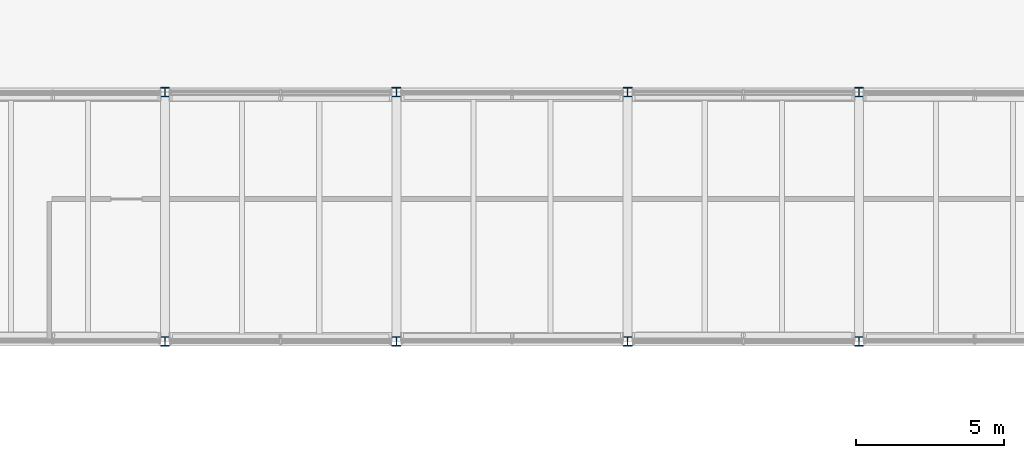
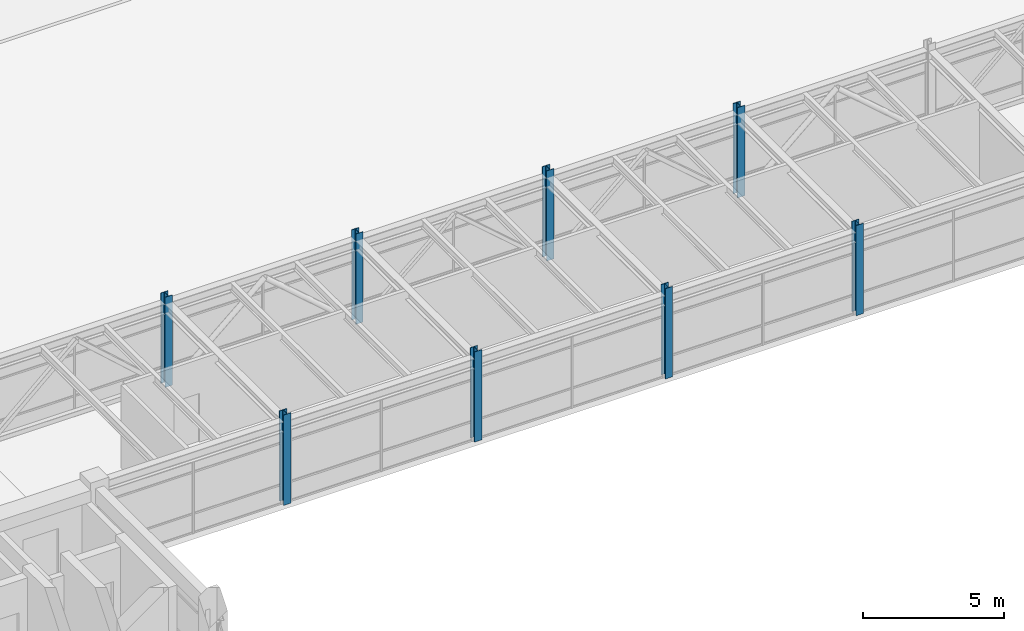
# One storey, part 2 of 72: 8 columns.
"""IFC4 building model written with IfcOpenShell, lengths in metres."""

from ifc_helpers import new_model, si_unit, direction, frame, origin, origin_2d, place, context, subcontext, project, spatial, i_section, extrude, material, material_profile, profile_set, type_object, element, save


model = new_model("IFC4")

# Units and contexts
model_context = context("Model", 3, precision=1e-05, world=origin(), true_north=direction((0.0, 1.0)))
body_context = subcontext(model_context, "Body", "Model", "MODEL_VIEW")
ifc_project = project(units=[si_unit("LENGTHUNIT", "METRE"), si_unit("AREAUNIT", "SQUARE_METRE"), si_unit("VOLUMEUNIT", "CUBIC_METRE"), si_unit("PLANEANGLEUNIT", "RADIAN"), si_unit("MASSUNIT", "GRAM", prefix="KILO"), si_unit("THERMODYNAMICTEMPERATUREUNIT", "KELVIN"), si_unit("POWERUNIT", "WATT")], contexts=[model_context])

# Site, building, storey
site_placement = place(None, origin())
site = spatial("IfcSite", under=ifc_project, at=site_placement, CompositionType="ELEMENT")
building_placement = place(site_placement, origin())
building = spatial("IfcBuilding", under=site, at=building_placement, Name="Srebrne Nadtorze General Hospital", CompositionType="ELEMENT")
storey_placement = place(building_placement, frame((0.0, 0.0, 22.199951171875)))
storey = spatial("IfcBuildingStorey", under=building, at=storey_placement, Name="L05", CompositionType="ELEMENT", Elevation=22.199951171875)

# Columns
ifc_material = material(Name="Steel S355J2", Category="steel")
ifc_material_profile = material_profile(ifc_material, i_section(OverallWidth=0.300048828125, OverallDepth=0.320068359375, WebThickness=0.011474609375, FlangeThickness=0.0205078125, FilletRadius=0.027099609375, at=origin_2d()), Name="HEB-320")
ifc_profile_set = profile_set([ifc_material_profile], Name="Steel S355J2")
column_type = type_object("IfcColumnType", Name="Steel column HEB 320", PredefinedType="COLUMN", material=ifc_profile_set)
for number, where, z_axis, x_axis, name in (
    (1, (62.39990234375, 50.39990234375, 0.0), (0.0, 0.0, 1.0), (1.0, 0.0, 0.0), "Column CL-L05-9-G"),
    (2, (62.39990234375, 58.800048828125, 0.0), (0.0, 0.0, 1.0), (1.0, 0.0, 0.0), "Column CL-L05-9-H"),
    (3, (70.199951171875, 50.39990234375, 0.0), (0.0, 0.0, 1.0), (1.0, 0.0, 0.0), "Column CL-L05-10-G"),
    (4, (70.199951171875, 58.800048828125, 0.0), (0.0, 0.0, 1.0), (1.0, 0.0, 0.0), "Column CL-L05-10-H"),
    (5, (78.0, 50.39990234375, 0.0), (0.0, 0.0, 1.0), (1.0, 0.0, 0.0), "Column CL-L05-11-G"),
    (6, (78.0, 58.800048828125, 0.0), (0.0, 0.0, 1.0), (1.0, 0.0, 0.0), "Column CL-L05-11-H"),
    (7, (85.800048828125, 50.39990234375, 0.0), (0.0, 0.0, 1.0), (1.0, 0.0, 0.0), "Column CL-L05-12-G"),
    (8, (85.800048828125, 58.800048828125, 0.0), (0.0, 0.0, 1.0), (1.0, 0.0, 0.0), "Column CL-L05-12-H"),
):
    element("IfcColumn", number, at=place(storey_placement, frame(where, z_axis=z_axis, x_axis=x_axis)), inside=storey, type_object=column_type, Name=name, PredefinedType="COLUMN", context=body_context, shape_type="SweptSolid", body=[
        extrude(i_section(OverallWidth=0.300048828125, OverallDepth=0.320068359375, WebThickness=0.011474609375, FlangeThickness=0.0205078125, FilletRadius=0.027099609375, at=origin_2d()), origin(), (0.0, 0.0, 1.0), 3.900146484375),
    ])

save(model, "model.ifc")
